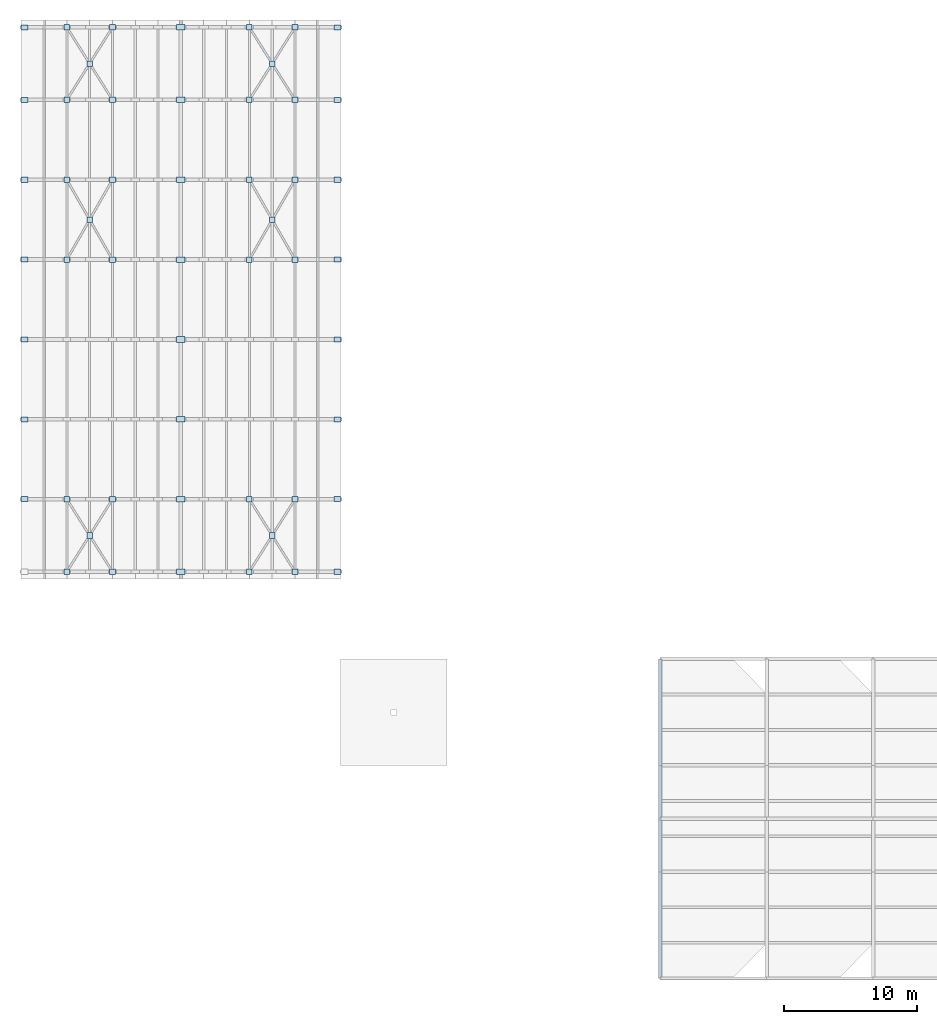
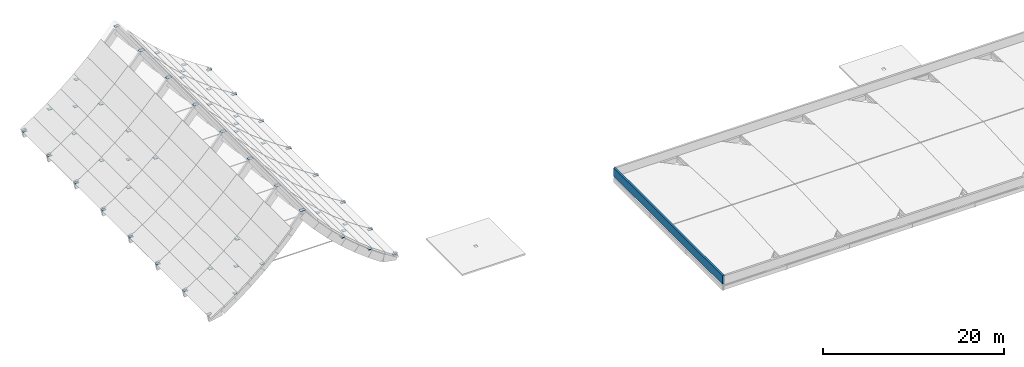
# One storey, part 6 of 7: 53 plates, 1 wall.
"""IFC4 building model written with IfcOpenShell, lengths in metres."""

from ifc_helpers import new_model, si_unit, direction, frame, frame_2d, origin, origin_2d, place, context, subcontext, project, spatial, rectangle, extrude, material, layer, layer_set, type_object, element, save


model = new_model("IFC4")

# Units and contexts
model_context = context("Model", 3, precision=1e-05, world=origin(), true_north=direction((0.0, 1.0)))
body_context = subcontext(model_context, "Body", "Model", "MODEL_VIEW")
ifc_project = project(units=[si_unit("LENGTHUNIT", "METRE"), si_unit("AREAUNIT", "SQUARE_METRE"), si_unit("VOLUMEUNIT", "CUBIC_METRE"), si_unit("PLANEANGLEUNIT", "RADIAN"), si_unit("MASSUNIT", "GRAM", prefix="KILO")], contexts=[model_context])

# Site, building, storey
site_placement = place(None, origin())
site = spatial("IfcSite", under=ifc_project, at=site_placement, CompositionType="ELEMENT")
building_placement = place(site_placement, origin())
building = spatial("IfcBuilding", under=site, at=building_placement, Name="Solvane Community Centre", CompositionType="ELEMENT")
storey_placement = place(building_placement, frame((0.0, 0.0, 22.199951171875)))
storey = spatial("IfcBuildingStorey", under=building, at=storey_placement, Name="RF", CompositionType="ELEMENT", Elevation=22.199951171875)

# Plates
ifc_material_1 = material(Name="Steel ASTM A572 Grade 50", Category="steel")
ifc_layer_1 = layer(ifc_material_1, 0.02392578125)
ifc_layer_set_1 = layer_set([ifc_layer_1], Name="Steel ASTM A572 Grade 50")
plate_type_1 = type_object("IfcPlateType", Name="Bracing Node Gusset Plate 420x420x24", PredefinedType="USERDEFINED", material=ifc_layer_set_1)
for number, where, z_axis, x_axis, name in (
    (1, (41.142822265625, 39.27490234375, -2.76025390625), (0.0, 0.0, 1.0), (1.0, 0.0, 0.0), "Gusset Plate PLT-RF-0025"),
    (2, (39.4287109375, 36.550048828125, -4.15185546875), (0.0, 0.0, 1.0), (1.0, 0.0, 0.0), "Gusset Plate PLT-RF-0026"),
    (3, (42.857177734375, 42.0, -1.368408203125), (0.0, 0.0, 1.0), (1.0, 0.0, 0.0), "Gusset Plate PLT-RF-0027"),
    (4, (42.857177734375, 36.550048828125, -1.368408203125), (0.0, 0.0, 1.0), (1.0, 0.0, 0.0), "Gusset Plate PLT-RF-0028"),
    (5, (39.4287109375, 42.0, -4.15185546875), (0.0, 0.0, 1.0), (1.0, 0.0, 0.0), "Gusset Plate PLT-RF-0029"),
    (6, (54.857177734375, 39.27490234375, -2.76025390625), (0.0, 0.0, 1.0), (1.0, 0.0, 0.0), "Gusset Plate PLT-RF-0030"),
    (7, (53.142822265625, 36.550048828125, -1.368408203125), (0.0, 0.0, 1.0), (1.0, 0.0, 0.0), "Gusset Plate PLT-RF-0031"),
    (8, (56.5712890625, 42.0, -4.15185546875), (0.0, 0.0, 1.0), (1.0, 0.0, 0.0), "Gusset Plate PLT-RF-0032"),
    (9, (56.5712890625, 36.550048828125, -4.15185546875), (0.0, 0.0, 1.0), (1.0, 0.0, 0.0), "Gusset Plate PLT-RF-0033"),
    (10, (53.142822265625, 42.0, -1.368408203125), (0.0, 0.0, 1.0), (1.0, 0.0, 0.0), "Gusset Plate PLT-RF-0034"),
    (11, (41.142822265625, 63.0, -2.76025390625), (0.0, 0.0, 1.0), (1.0, 0.0, 0.0), "Gusset Plate PLT-RF-0035"),
    (12, (39.4287109375, 60.0, -4.15185546875), (0.0, 0.0, 1.0), (1.0, 0.0, 0.0), "Gusset Plate PLT-RF-0036"),
    (13, (42.857177734375, 66.0, -1.368408203125), (0.0, 0.0, 1.0), (1.0, 0.0, 0.0), "Gusset Plate PLT-RF-0037"),
    (14, (42.857177734375, 60.0, -1.368408203125), (0.0, 0.0, 1.0), (1.0, 0.0, 0.0), "Gusset Plate PLT-RF-0038"),
    (15, (39.4287109375, 66.0, -4.15185546875), (0.0, 0.0, 1.0), (1.0, 0.0, 0.0), "Gusset Plate PLT-RF-0039"),
    (16, (54.857177734375, 63.0, -2.76025390625), (0.0, 0.0, 1.0), (1.0, 0.0, 0.0), "Gusset Plate PLT-RF-0040"),
    (17, (53.142822265625, 60.0, -1.368408203125), (0.0, 0.0, 1.0), (1.0, 0.0, 0.0), "Gusset Plate PLT-RF-0041"),
    (18, (56.5712890625, 66.0, -4.15185546875), (0.0, 0.0, 1.0), (1.0, 0.0, 0.0), "Gusset Plate PLT-RF-0042"),
    (19, (56.5712890625, 60.0, -4.15185546875), (0.0, 0.0, 1.0), (1.0, 0.0, 0.0), "Gusset Plate PLT-RF-0043"),
    (20, (53.142822265625, 66.0, -1.368408203125), (0.0, 0.0, 1.0), (1.0, 0.0, 0.0), "Gusset Plate PLT-RF-0044"),
    (21, (41.142822265625, 74.72509765625, -2.76025390625), (0.0, 0.0, 1.0), (1.0, 0.0, 0.0), "Gusset Plate PLT-RF-0045"),
    (22, (39.4287109375, 72.0, -4.15185546875), (0.0, 0.0, 1.0), (1.0, 0.0, 0.0), "Gusset Plate PLT-RF-0046"),
    (23, (42.857177734375, 77.449951171875, -1.368408203125), (0.0, 0.0, 1.0), (1.0, 0.0, 0.0), "Gusset Plate PLT-RF-0047"),
    (24, (42.857177734375, 72.0, -1.368408203125), (0.0, 0.0, 1.0), (1.0, 0.0, 0.0), "Gusset Plate PLT-RF-0048"),
    (25, (39.4287109375, 77.449951171875, -4.15185546875), (0.0, 0.0, 1.0), (1.0, 0.0, 0.0), "Gusset Plate PLT-RF-0049"),
    (26, (54.857177734375, 74.72509765625, -2.76025390625), (0.0, 0.0, 1.0), (1.0, 0.0, 0.0), "Gusset Plate PLT-RF-0050"),
    (27, (53.142822265625, 72.0, -1.368408203125), (0.0, 0.0, 1.0), (1.0, 0.0, 0.0), "Gusset Plate PLT-RF-0051"),
    (28, (56.5712890625, 77.449951171875, -4.15185546875), (0.0, 0.0, 1.0), (1.0, 0.0, 0.0), "Gusset Plate PLT-RF-0052"),
    (29, (56.5712890625, 72.0, -4.15185546875), (0.0, 0.0, 1.0), (1.0, 0.0, 0.0), "Gusset Plate PLT-RF-0053"),
    (30, (53.142822265625, 77.449951171875, -1.368408203125), (0.0, 0.0, 1.0), (1.0, 0.0, 0.0), "Gusset Plate PLT-RF-0054"),
):
    element("IfcPlate", number, at=place(storey_placement, frame(where, z_axis=z_axis, x_axis=x_axis)), inside=storey, type_object=plate_type_1, Name=name, ObjectType="GUSSET_PLATE", PredefinedType="USERDEFINED", context=body_context, shape_type="SweptSolid", body=[
        extrude(rectangle(XDim=0.419921875, YDim=0.419921875, at=origin_2d()), origin(), (0.0, 0.0, 1.0), 0.02392578125),
    ])
ifc_layer_2 = layer(ifc_material_1, 0.035888671875)
ifc_layer_set_2 = layer_set([ifc_layer_2], Name="Steel ASTM A572 Grade 50")
plate_type_2 = type_object("IfcPlateType", Name="Vault Base Pin Shoe Plate 520x380x36", PredefinedType="USERDEFINED", material=ifc_layer_set_2)
for number, where, z_axis, x_axis, name in (
    (31, (59.75, 36.550048828125, -5.998046875), (0.0, 0.0, 1.0), (1.0, 0.0, 0.0), "Gusset Plate PLT-RF-0002"),
    (32, (36.25, 42.0, -5.998046875), (0.0, 0.0, 1.0), (1.0, 0.0, 0.0), "Gusset Plate PLT-RF-0004"),
    (33, (59.75, 42.0, -5.998046875), (0.0, 0.0, 1.0), (1.0, 0.0, 0.0), "Gusset Plate PLT-RF-0005"),
    (34, (36.25, 48.0, -5.998046875), (0.0, 0.0, 1.0), (1.0, 0.0, 0.0), "Gusset Plate PLT-RF-0007"),
    (35, (59.75, 48.0, -5.998046875), (0.0, 0.0, 1.0), (1.0, 0.0, 0.0), "Gusset Plate PLT-RF-0008"),
    (36, (36.25, 54.0, -5.998046875), (0.0, 0.0, 1.0), (1.0, 0.0, 0.0), "Gusset Plate PLT-RF-0010"),
    (37, (59.75, 54.0, -5.998046875), (0.0, 0.0, 1.0), (1.0, 0.0, 0.0), "Gusset Plate PLT-RF-0011"),
    (38, (36.25, 60.0, -5.998046875), (0.0, 0.0, 1.0), (1.0, 0.0, 0.0), "Gusset Plate PLT-RF-0013"),
    (39, (59.75, 60.0, -5.998046875), (0.0, 0.0, 1.0), (1.0, 0.0, 0.0), "Gusset Plate PLT-RF-0014"),
    (40, (36.25, 66.0, -5.998046875), (0.0, 0.0, 1.0), (1.0, 0.0, 0.0), "Gusset Plate PLT-RF-0016"),
    (41, (59.75, 66.0, -5.998046875), (0.0, 0.0, 1.0), (1.0, 0.0, 0.0), "Gusset Plate PLT-RF-0017"),
    (42, (36.25, 72.0, -5.998046875), (0.0, 0.0, 1.0), (1.0, 0.0, 0.0), "Gusset Plate PLT-RF-0019"),
    (43, (59.75, 72.0, -5.998046875), (0.0, 0.0, 1.0), (1.0, 0.0, 0.0), "Gusset Plate PLT-RF-0020"),
    (44, (36.25, 77.449951171875, -5.998046875), (0.0, 0.0, 1.0), (1.0, 0.0, 0.0), "Gusset Plate PLT-RF-0022"),
    (45, (59.75, 77.449951171875, -5.998046875), (0.0, 0.0, 1.0), (1.0, 0.0, 0.0), "Gusset Plate PLT-RF-0023"),
):
    element("IfcPlate", number, at=place(storey_placement, frame(where, z_axis=z_axis, x_axis=x_axis)), inside=storey, type_object=plate_type_2, Name=name, ObjectType="GUSSET_PLATE", PredefinedType="USERDEFINED", context=body_context, shape_type="SweptSolid", body=[
        extrude(rectangle(XDim=0.52001953125, YDim=0.3798828125, at=origin_2d()), origin(), (0.0, 0.0, 1.0), 0.035888671875),
    ])
ifc_layer_3 = layer(ifc_material_1, 0.031982421875)
ifc_layer_set_3 = layer_set([ifc_layer_3], Name="Steel ASTM A572 Grade 50")
plate_type_3 = type_object("IfcPlateType", Name="Vault Sharp-Ridge Apex Gusset 640x420x32", PredefinedType="USERDEFINED", material=ifc_layer_set_3)
for number, where, z_axis, x_axis, name in (
    (46, (48.0, 36.550048828125, 4.0341796875), (0.0, 0.0, 1.0), (1.0, 0.0, 0.0), "Gusset Plate PLT-RF-0003"),
    (47, (48.0, 42.0, 4.0341796875), (0.0, 0.0, 1.0), (1.0, 0.0, 0.0), "Gusset Plate PLT-RF-0006"),
    (48, (48.0, 48.0, 4.0341796875), (0.0, 0.0, 1.0), (1.0, 0.0, 0.0), "Gusset Plate PLT-RF-0009"),
    (49, (48.0, 54.0, 4.0341796875), (0.0, 0.0, 1.0), (1.0, 0.0, 0.0), "Gusset Plate PLT-RF-0012"),
    (50, (48.0, 60.0, 4.0341796875), (0.0, 0.0, 1.0), (1.0, 0.0, 0.0), "Gusset Plate PLT-RF-0015"),
    (51, (48.0, 66.0, 4.0341796875), (0.0, 0.0, 1.0), (1.0, 0.0, 0.0), "Gusset Plate PLT-RF-0018"),
    (52, (48.0, 72.0, 4.0341796875), (0.0, 0.0, 1.0), (1.0, 0.0, 0.0), "Gusset Plate PLT-RF-0021"),
    (53, (48.0, 77.449951171875, 4.0341796875), (0.0, 0.0, 1.0), (1.0, 0.0, 0.0), "Gusset Plate PLT-RF-0024"),
):
    element("IfcPlate", number, at=place(storey_placement, frame(where, z_axis=z_axis, x_axis=x_axis)), inside=storey, type_object=plate_type_3, Name=name, ObjectType="GUSSET_PLATE", PredefinedType="USERDEFINED", context=body_context, shape_type="SweptSolid", body=[
        extrude(rectangle(XDim=0.639892578125, YDim=0.419921875, at=origin_2d()), origin(), (0.0, 0.0, 1.0), 0.031982421875),
    ])

# Wall
ifc_material_2 = material(Name="Precast concrete C35/45", Category="concrete")
ifc_layer_4 = layer(ifc_material_2, 0.239990234375)
ifc_layer_set_4 = layer_set([ifc_layer_4], Name="Precast concrete C35/45")
wall_type = type_object("IfcWallType", Name="Stepped Art Deco Roof Parapet 240mm [240x12dm]", PredefinedType="PARAPET", material=ifc_layer_set_4)
wall_placement = place(storey_placement, frame((84.0, 30.0, 0.0), z_axis=(0.0, 0.0, 1.0), x_axis=(0.0, -1.0, 0.0)))
element("IfcWall", 54, at=wall_placement, inside=storey, type_object=wall_type, Name="Exterior Wall WL-EXT-RF-0177", PredefinedType="PARAPET", context=body_context, shape_type="SweptSolid", body=[
    extrude(rectangle(XDim=24.0, YDim=0.239990234375, at=frame_2d((12.0, 0.0))), origin(), (0.0, 0.0, 1.0), 1.150146484375),
])

save(model, "model.ifc")
